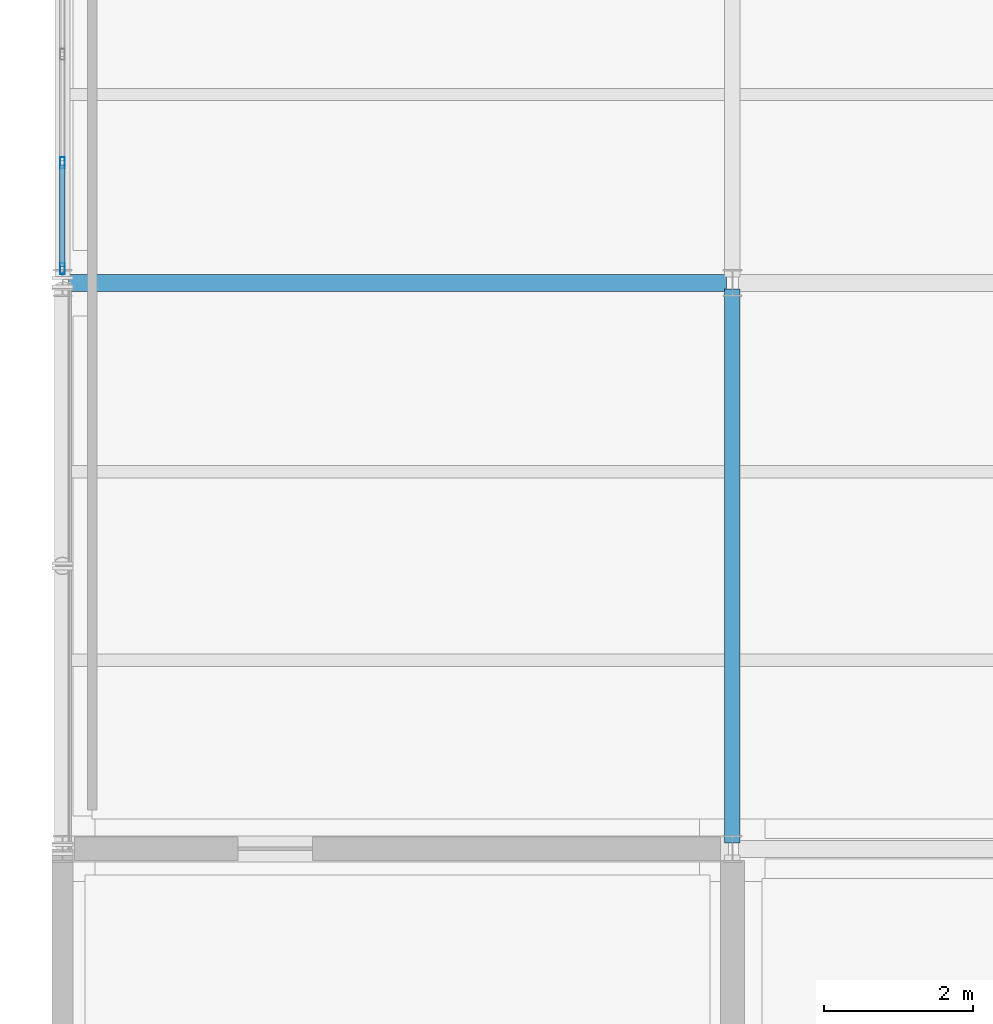
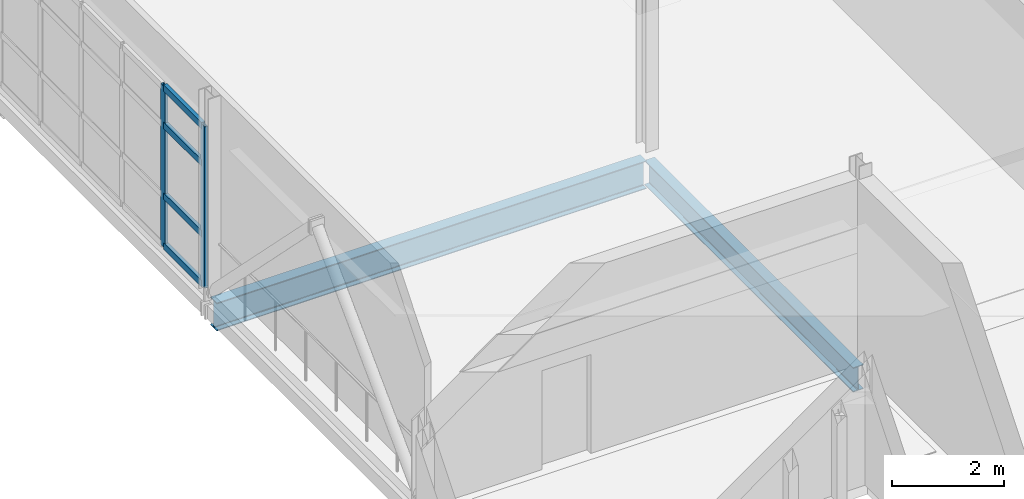
# One storey, part 38 of 174: 6 members, 2 beams, 1 element without a shape of its own.
"""IFC4 building model written with IfcOpenShell, lengths in metres."""

from ifc_helpers import new_model, si_unit, direction, frame, origin, origin_2d, place, context, subcontext, project, spatial, hollow_rectangle, i_section, extrude, material, material_profile, profile_set, type_object, element, aggregate, save


model = new_model("IFC4")

# Units and contexts
model_context = context("Model", 3, precision=1e-05, world=origin(), true_north=direction((0.0, 1.0)))
body_context = subcontext(model_context, "Body", "Model", "MODEL_VIEW")
ifc_project = project(units=[si_unit("LENGTHUNIT", "METRE"), si_unit("AREAUNIT", "SQUARE_METRE"), si_unit("VOLUMEUNIT", "CUBIC_METRE"), si_unit("PLANEANGLEUNIT", "RADIAN"), si_unit("MASSUNIT", "GRAM", prefix="KILO")], contexts=[model_context])

# Site, building, storey
site_placement = place(None, origin())
site = spatial("IfcSite", under=ifc_project, at=site_placement, CompositionType="ELEMENT")
building_placement = place(site_placement, origin())
building = spatial("IfcBuilding", under=site, at=building_placement, Name="Caisbarro Railhouse Central Library", CompositionType="ELEMENT")
storey_placement = place(building_placement, frame((0.0, 0.0, 5.0400390625)))
storey = spatial("IfcBuildingStorey", under=building, at=storey_placement, Name="L01", CompositionType="ELEMENT", Elevation=5.0400390625)

# Beams
ifc_material_1 = material(Name="Steel ASTM A572 Grade 50", Category="steel")
ifc_material_profile_1 = material_profile(ifc_material_1, i_section(OverallWidth=0.22802734375, OverallDepth=0.60791015625, WebThickness=0.01123046875, FlangeThickness=0.017333984375, FilletRadius=0.02197265625, at=origin_2d()), Name="W610X113.0")
ifc_profile_set_1 = profile_set([ifc_material_profile_1], Name="Steel ASTM A572 Grade 50")
beam_type_1 = type_object("IfcBeamType", Name="BM-G04", PredefinedType="BEAM", material=ifc_profile_set_1)
beam_1_placement = place(storey_placement, frame((0.080078125, 45.60009765625, -0.52392578125), z_axis=(1.0, 0.0, 0.0), x_axis=(0.0, 1.0, 0.0)))
element("IfcBeam", 1, at=beam_1_placement, inside=storey, type_object=beam_type_1, Name="G04 beam L01 #804", PredefinedType="BEAM", context=body_context, shape_type="SweptSolid", body=[
    extrude(i_section(OverallWidth=0.22802734375, OverallDepth=0.60791015625, WebThickness=0.01123046875, FlangeThickness=0.017333984375, FilletRadius=0.02197265625, at=origin_2d()), origin(), (0.0, 0.0, 1.0), 8.83984375),
])
ifc_material_profile_2 = material_profile(ifc_material_1, i_section(OverallWidth=0.208984375, OverallDepth=0.532958984375, WebThickness=0.01025390625, FlangeThickness=0.015625, FilletRadius=0.02001953125, at=origin_2d()), Name="W530X92.0")
ifc_profile_set_2 = profile_set([ifc_material_profile_2], Name="Steel ASTM A572 Grade 50")
beam_type_2 = type_object("IfcBeamType", Name="BM-G06", PredefinedType="BEAM", material=ifc_profile_set_2)
beam_2_placement = place(storey_placement, frame((9.0, 38.080078125, -0.486572265625), z_axis=(0.0, 1.0, 0.0), x_axis=(-1.0, 0.0, 0.0)))
element("IfcBeam", 2, at=beam_2_placement, inside=storey, type_object=beam_type_2, Name="G06 beam L01 #830", PredefinedType="BEAM", context=body_context, shape_type="SweptSolid", body=[
    extrude(i_section(OverallWidth=0.208984375, OverallDepth=0.532958984375, WebThickness=0.01025390625, FlangeThickness=0.015625, FilletRadius=0.02001953125, at=origin_2d()), origin(), (0.0, 0.0, 1.0), 7.43994140625),
])

# Curtain wall, members
ifc_material_2 = material(Name="Anodised architectural aluminium", Category="aluminium")
curtain_wall_type = type_object("IfcCurtainWallType", Name="CW-CW02", PredefinedType="NOTDEFINED", material=ifc_material_2)
curtain_wall_placement = place(storey_placement, origin())
curtain_wall = element("IfcCurtainWall", 3, at=curtain_wall_placement, inside=storey, type_object=curtain_wall_type, Name="CW02 curtain wall L01 #28", PredefinedType="NOTDEFINED")
ifc_material_profile_3 = material_profile(ifc_material_2, hollow_rectangle(XDim=0.06494140625, YDim=0.14990234375, WallThickness=0.00390625, at=origin_2d()), Name="ALU-MUL-65X150")
ifc_profile_set_3 = profile_set([ifc_material_profile_3], Name="Anodised architectural aluminium")
member_type_1 = type_object("IfcMemberType", Name="CWM-M02", PredefinedType="MULLION", material=ifc_profile_set_3)
member_1_placement = place(storey_placement, frame((0.0, 45.79248046875, 0.0), z_axis=(0.0, 0.0, 1.0), x_axis=(-1.0, 0.0, 0.0)))
member_1 = element("IfcMember", 4, at=member_1_placement, type_object=member_type_1, Name="CW02 mullion 1", PredefinedType="MULLION", context=body_context, shape_type="SweptSolid", body=[
    extrude(hollow_rectangle(XDim=0.06494140625, YDim=0.14990234375, WallThickness=0.00390625, at=origin_2d()), origin(), (0.0, 0.0, 1.0), 3.510009765625),
])
member_2_placement = place(storey_placement, frame((0.0, 47.216064453125, 0.0), z_axis=(0.0, 0.0, 1.0), x_axis=(-1.0, 0.0, 0.0)))
member_2 = element("IfcMember", 5, at=member_2_placement, type_object=member_type_1, Name="CW02 mullion 2", PredefinedType="MULLION", context=body_context, shape_type="SweptSolid", body=[
    extrude(hollow_rectangle(XDim=0.06494140625, YDim=0.14990234375, WallThickness=0.00390625, at=origin_2d()), origin(), (0.0, 0.0, 1.0), 3.510009765625),
])
ifc_material_profile_4 = material_profile(ifc_material_2, hollow_rectangle(XDim=0.074951171875, YDim=0.139892578125, WallThickness=0.00390625, at=origin_2d()), Name="ALU-TRN-75X140")
ifc_profile_set_4 = profile_set([ifc_material_profile_4], Name="Anodised architectural aluminium")
member_type_2 = type_object("IfcMemberType", Name="CWT-T01", PredefinedType="USERDEFINED", material=ifc_profile_set_4)
member_3_placement = place(storey_placement, frame((0.0, 45.824951171875, 0.037353515625), z_axis=(0.0, 1.0, 0.0), x_axis=(-1.0, 0.0, 0.0)))
member_3 = element("IfcMember", 6, at=member_3_placement, type_object=member_type_2, Name="CW02 transom 1.1", ObjectType="TRANSOM", PredefinedType="USERDEFINED", context=body_context, shape_type="SweptSolid", body=[
    extrude(hollow_rectangle(XDim=0.074951171875, YDim=0.139892578125, WallThickness=0.00390625, at=origin_2d()), origin(), (0.0, 0.0, 1.0), 1.358642578125),
])
member_4_placement = place(storey_placement, frame((0.0, 45.824951171875, 1.119873046875), z_axis=(0.0, 1.0, 0.0), x_axis=(-1.0, 0.0, 0.0)))
member_4 = element("IfcMember", 7, at=member_4_placement, type_object=member_type_2, Name="CW02 transom 1.2", ObjectType="TRANSOM", PredefinedType="USERDEFINED", context=body_context, shape_type="SweptSolid", body=[
    extrude(hollow_rectangle(XDim=0.074951171875, YDim=0.139892578125, WallThickness=0.00390625, at=origin_2d()), origin(), (0.0, 0.0, 1.0), 1.358642578125),
])
member_5_placement = place(storey_placement, frame((0.0, 45.824951171875, 2.659912109375), z_axis=(0.0, 1.0, 0.0), x_axis=(-1.0, 0.0, 0.0)))
member_5 = element("IfcMember", 8, at=member_5_placement, type_object=member_type_2, Name="CW02 transom 1.3", ObjectType="TRANSOM", PredefinedType="USERDEFINED", context=body_context, shape_type="SweptSolid", body=[
    extrude(hollow_rectangle(XDim=0.074951171875, YDim=0.139892578125, WallThickness=0.00390625, at=origin_2d()), origin(), (0.0, 0.0, 1.0), 1.358642578125),
])
member_6_placement = place(storey_placement, frame((0.0, 45.824951171875, 3.472412109375), z_axis=(0.0, 1.0, 0.0), x_axis=(-1.0, 0.0, 0.0)))
member_6 = element("IfcMember", 9, at=member_6_placement, type_object=member_type_2, Name="CW02 transom 1.4", ObjectType="TRANSOM", PredefinedType="USERDEFINED", context=body_context, shape_type="SweptSolid", body=[
    extrude(hollow_rectangle(XDim=0.074951171875, YDim=0.139892578125, WallThickness=0.00390625, at=origin_2d()), origin(), (0.0, 0.0, 1.0), 1.358642578125),
])
aggregate(curtain_wall, [member_1, member_2, member_3, member_4, member_5, member_6])

save(model, "model.ifc")
